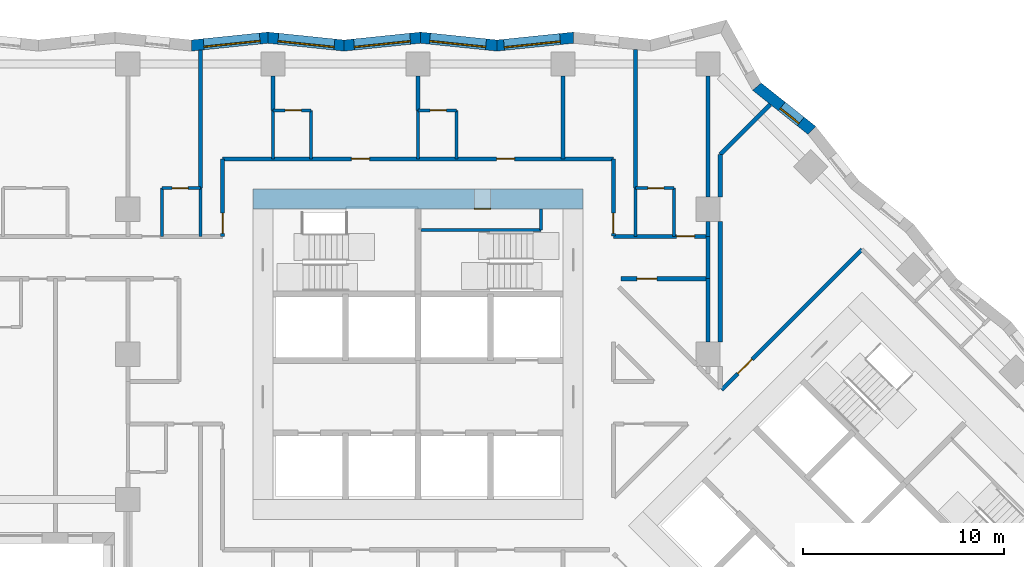
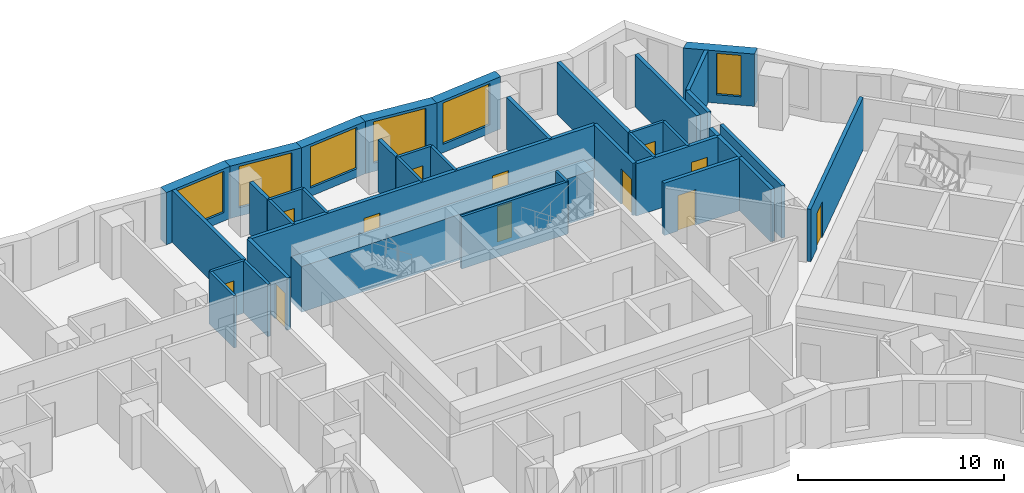
# One storey, part 6 of 12: 39 walls, 12 doors, 6 windows, 18 openings.
"""IFC4 building model written with IfcOpenShell, lengths in metres."""

import ifcopenshell
import ifcopenshell.guid

model = None  # the IFC model being written
_history = None  # IfcOwnerHistory: only IFC2X3 demands one
_inside = {}  # id of a spatial element -> (the spatial element, [elements in it])
_under = {}  # id of a project, library or spatial element -> (it, [spatial elements below it])
_declared = {}  # id of a project -> (the project, [libraries it declares])
_typed = {}  # id of a type object -> (the type object, [elements of that type])
_made_of = {}  # id of a material, layer set ... -> (it, [elements and type objects made of it])


def new_model(schema):
    """Start an empty IFC model of exactly this schema.

    Asked for "IFC4X3", IfcOpenShell would pick the latest addendum, in which some entities
    have other attributes; the version numbers below select the first issue.
    IFC2X3 requires an IfcOwnerHistory on every rooted entity: one is made here for all.
    """
    global model, _history
    if schema == "IFC4X3":
        model = ifcopenshell.file(schema_version=(4, 3, 0, 0))
    else:
        model = ifcopenshell.file(schema=schema)
    _inside.clear()
    _under.clear()
    _declared.clear()
    _typed.clear()
    _made_of.clear()
    _history = None
    if model.schema == "IFC2X3":
        org = make("IfcOrganization", Name="unknown")
        user = make(
            "IfcPersonAndOrganization",
            ThePerson=make("IfcPerson", FamilyName="unknown"),
            TheOrganization=org,
        )
        app = make(
            "IfcApplication",
            ApplicationDeveloper=org,
            Version="unknown",
            ApplicationFullName="unknown",
            ApplicationIdentifier="unknown",
        )
        _history = make(
            "IfcOwnerHistory",
            OwningUser=user,
            OwningApplication=app,
            ChangeAction="ADDED",
            CreationDate=0,
        )
    return model


def make(cls, **values):
    """One entity of the class cls with the attributes given. An attribute that is None is left unset."""
    return model.create_entity(
        cls, **{name: value for name, value in values.items() if value is not None}
    )


def rooted(cls, **values):
    """An entity with a GlobalId (a new one), such as an element, a storey or a relation."""
    return make(cls, GlobalId=ifcopenshell.guid.new(), OwnerHistory=_history, **values)


def si_unit(unit_type, name, prefix=None):
    """IfcSIUnit, for example si_unit("LENGTHUNIT", "METRE", prefix="MILLI")."""
    return make("IfcSIUnit", UnitType=unit_type, Prefix=prefix, Name=name)


def assignment(units):
    """IfcUnitAssignment: the units of a project."""
    return None if units is None else make("IfcUnitAssignment", Units=units)


def point(xyz):
    """IfcCartesianPoint."""
    return None if xyz is None else make("IfcCartesianPoint", Coordinates=xyz)


def direction(xyz):
    """IfcDirection."""
    return None if xyz is None else make("IfcDirection", DirectionRatios=xyz)


def frame(location, z_axis=None, x_axis=None):
    """IfcAxis2Placement3D, a coordinate frame: its origin and axes. An axis left out is left unset."""
    return make(
        "IfcAxis2Placement3D",
        Location=point(location),
        Axis=direction(z_axis),
        RefDirection=direction(x_axis),
    )


def frame_2d(location, x_axis=None):
    """IfcAxis2Placement2D, a coordinate frame in the plane: its origin and x axis."""
    return make(
        "IfcAxis2Placement2D", Location=point(location), RefDirection=direction(x_axis)
    )


def origin():
    """The frame at (0, 0, 0) with its axes left unset."""
    return frame((0.0, 0.0, 0.0))


def place(relative_to, where):
    """IfcLocalPlacement: puts the frame where relative to a parent placement (None: the world)."""
    return make(
        "IfcLocalPlacement", PlacementRelTo=relative_to, RelativePlacement=where
    )


def context(
    kind, dimensions, precision=None, world=None, true_north=None, identifier=None
):
    """IfcGeometricRepresentationContext, for example the 3D "Model" context."""
    return make(
        "IfcGeometricRepresentationContext",
        ContextIdentifier=identifier,
        ContextType=kind,
        CoordinateSpaceDimension=dimensions,
        Precision=precision,
        WorldCoordinateSystem=world,
        TrueNorth=true_north,
    )


def subcontext(parent, identifier, kind, view, scale=None):
    """IfcGeometricRepresentationSubContext, for example "Body" below "Model"."""
    return make(
        "IfcGeometricRepresentationSubContext",
        ContextIdentifier=identifier,
        ContextType=kind,
        ParentContext=parent,
        TargetScale=scale,
        TargetView=view,
    )


def project(units=None, contexts=None):
    """IfcProject with its units and contexts."""
    return rooted(
        "IfcProject",
        Name="project",
        RepresentationContexts=contexts,
        UnitsInContext=assignment(units),
    )


def spatial(cls, under=None, at=None, **own):
    """A site, building, storey or space (cls), placed at a placement, below another one or the project."""
    s = rooted(cls, ObjectPlacement=at, **own)
    if under is not None:
        _under.setdefault(under.id(), (under, []))[1].append(s)
    return s


def polyline(points):
    """IfcPolyline through the points."""
    return make("IfcPolyline", Points=[point(p) for p in points])


def profile(cls, at=None, kind="AREA", **sizes):
    """A parametric profile (cls). Its sizes go by their IFC names, for example OverallWidth=200.0."""
    return make(cls, ProfileType=kind, Position=at, **sizes)


def rectangle(**sizes):
    """IfcRectangleProfileDef."""
    return profile("IfcRectangleProfileDef", **sizes)


def outline(outer, holes=None, kind="AREA"):
    """IfcArbitraryClosedProfileDef: a profile drawn as a closed curve; with holes, ...WithVoids."""
    if holes is None:
        return make("IfcArbitraryClosedProfileDef", ProfileType=kind, OuterCurve=outer)
    return make(
        "IfcArbitraryProfileDefWithVoids",
        ProfileType=kind,
        OuterCurve=outer,
        InnerCurves=holes,
    )


def extrude(swept, where, along, depth):
    """IfcExtrudedAreaSolid: the profile swept, set in the frame where, extruded along a direction by depth."""
    return make(
        "IfcExtrudedAreaSolid",
        SweptArea=swept,
        Position=where,
        ExtrudedDirection=direction(along),
        Depth=depth,
    )


def shape(context_of_items, identifier, shape_type, items):
    """IfcShapeRepresentation: the items that make up one representation, for example the "Body"."""
    return make(
        "IfcShapeRepresentation",
        ContextOfItems=context_of_items,
        RepresentationIdentifier=identifier,
        RepresentationType=shape_type,
        Items=items,
    )


def material(Name=None, Category=None):
    """IfcMaterial."""
    return make("IfcMaterial", Name=Name, Category=Category)


def layer(
    of_material, thickness, ventilated=None, Name=None, Category=None, Priority=None
):
    """IfcMaterialLayer: one layer of a wall or slab, of a material (None: an air gap)."""
    return make(
        "IfcMaterialLayer",
        Material=of_material,
        LayerThickness=thickness,
        IsVentilated=ventilated,
        Name=Name,
        Category=Category,
        Priority=Priority,
    )


def layer_set(layers, Name=None):
    """IfcMaterialLayerSet."""
    return make("IfcMaterialLayerSet", MaterialLayers=layers, LayerSetName=Name)


def made_of(thing, what):
    """Note that an element or type object is made of a material, layer set ...; save() writes the relation."""
    if what is not None:
        _made_of.setdefault(what.id(), (what, []))[1].append(thing)
    return thing


def type_object(cls, material=None, **own):
    """A type object (cls), such as IfcWallType, which elements share."""
    return made_of(rooted(cls, **own), material)


def element(
    cls,
    number,
    at=None,
    inside=None,
    cuts=None,
    type_object=None,
    material=None,
    context=None,
    identifier="Body",
    shape_type=None,
    held_by="IfcProductDefinitionShape",
    body=None,
    shapes=None,
    **own,
):
    """One element of the class cls, such as IfcWall. Its Tag is "e" and its number.

    at: its placement. inside: the storey or other place that contains it. cuts: it is an
    opening in that element (IfcRelVoidsElement). A single representation is given by context,
    identifier, shape_type and body (its items); several are given by shapes. held_by: the class
    of the entity that holds the representations. save() writes the other relations.
    """
    e = rooted(cls, Tag="e%d" % number, ObjectPlacement=at, **own)
    if body is not None:
        shapes = [shape(context, identifier, shape_type, body)]
    if shapes is not None:
        e.Representation = make(held_by, Representations=shapes)
    if inside is not None:
        _inside.setdefault(inside.id(), (inside, []))[1].append(e)
    if cuts is not None:
        rooted(
            "IfcRelVoidsElement", RelatingBuildingElement=cuts, RelatedOpeningElement=e
        )
    if type_object is not None:
        _typed.setdefault(type_object.id(), (type_object, []))[1].append(e)
    return made_of(e, material)


def fill(opening, filler):
    """IfcRelFillsElement: the door or window that sits in an opening."""
    return rooted(
        "IfcRelFillsElement",
        RelatingOpeningElement=opening,
        RelatedBuildingElement=filler,
    )


def aggregate(whole, parts):
    """IfcRelAggregates: a whole, such as a stair, and the parts it consists of."""
    return rooted("IfcRelAggregates", RelatingObject=whole, RelatedObjects=parts)


def save(model, path):
    """Write the relations noted so far, then the file.

    IfcRelAggregates (storeys below a building ...), IfcRelContainedInSpatialStructure (elements
    in a storey), IfcRelDefinesByType, IfcRelAssociatesMaterial and IfcRelDeclares: one each for
    every whole, place, type object, material and project.
    """
    for whole, parts in _under.values():
        aggregate(whole, parts)
    for where, things in _inside.values():
        rooted(
            "IfcRelContainedInSpatialStructure",
            RelatedElements=things,
            RelatingStructure=where,
        )
    for kind, things in _typed.values():
        rooted("IfcRelDefinesByType", RelatedObjects=things, RelatingType=kind)
    for what, things in _made_of.values():
        rooted("IfcRelAssociatesMaterial", RelatedObjects=things, RelatingMaterial=what)
    for by, libraries in _declared.values():
        rooted("IfcRelDeclares", RelatingContext=by, RelatedDefinitions=libraries)
    model.write(path)


model = new_model("IFC4")

# Units and contexts
model_context = context("Model", 3, precision=1e-05, world=origin(), true_north=direction((0.0, 1.0)))
body_context = subcontext(model_context, "Body", "Model", "MODEL_VIEW")
ifc_project = project(units=[si_unit("LENGTHUNIT", "METRE"), si_unit("AREAUNIT", "SQUARE_METRE"), si_unit("VOLUMEUNIT", "CUBIC_METRE"), si_unit("PLANEANGLEUNIT", "RADIAN"), si_unit("MASSUNIT", "GRAM", prefix="KILO")], contexts=[model_context])

# Site, building, storey
site_placement = place(None, origin())
site = spatial("IfcSite", under=ifc_project, at=site_placement, CompositionType="ELEMENT")
building_placement = place(site_placement, origin())
building = spatial("IfcBuilding", under=site, at=building_placement, Name="Windrow Commons", CompositionType="ELEMENT")
storey_placement = place(building_placement, frame((0.0, 0.0, 37.2)))
storey = spatial("IfcBuildingStorey", under=building, at=storey_placement, Name="L09", CompositionType="ELEMENT", Elevation=37.2)

# Wall, opening, window
ifc_material_1 = material(Name="Brick masonry, red clay brick", Category="masonry")
ifc_layer_1 = layer(ifc_material_1, 0.55)
ifc_layer_set_1 = layer_set([ifc_layer_1], Name="Brick facade wall 550")
wall_type_1 = type_object("IfcWallType", Name="Brick facade wall 550", PredefinedType="SOLIDWALL", material=ifc_layer_set_1)
wall_1_placement = place(storey_placement, frame((84.3408, 68.7178, 0.0), z_axis=(0.0, 0.0, 1.0), x_axis=(-0.7826023277, 0.6225219648, 0.0)))
wall_1 = element("IfcWall", 1, at=wall_1_placement, inside=storey, type_object=wall_type_1, Name="Brick facade wall L09 21", PredefinedType="SOLIDWALL", context=body_context, shape_type="SweptSolid", body=[
    extrude(outline(polyline([(-0.0313, -0.275), (3.4226, -0.275), (3.5325, 0.275), (0.0313, 0.275), (-0.0313, -0.275)])), origin(), (0.0, 0.0, 1.0), 3.1),
])
opening_1_placement = place(wall_1_placement, frame((0.7012, 0.0, 0.5)))
opening_1 = element("IfcOpeningElement", 2, at=opening_1_placement, cuts=wall_1, Name="Opening W7D", PredefinedType="OPENING", context=body_context, shape_type="SweptSolid", body=[
    extrude(rectangle(XDim=1.2, YDim=2.45, at=frame_2d((0.6, 1.225))), frame((0.0, 0.285, 0.0), z_axis=(0.0, -1.0, 0.0), x_axis=(1.0, 0.0, 0.0)), (0.0, 0.0, 1.0), 0.57),
])
ifc_material_2 = material(Name="Clear float glass in anodised aluminium frame", Category="aluminium")
window_type_1 = type_object("IfcWindowType", Name="Window W7 notch 1200x2450", PartitioningType="SINGLE_PANEL", PredefinedType="WINDOW", material=ifc_material_2)
window_1_placement = place(opening_1_placement, origin())
window_1 = element("IfcWindow", 3, at=window_1_placement, inside=storey, type_object=window_type_1, Name="Window L09 21.1", OverallHeight=2.45, OverallWidth=1.2, PartitioningType="SINGLE_PANEL", PredefinedType="WINDOW", context=body_context, shape_type="SweptSolid", body=[
    extrude(rectangle(XDim=1.2, YDim=2.45, at=frame_2d((0.6, 1.225))), frame((0.0, 0.155, 0.0), z_axis=(0.0, -1.0, 0.0), x_axis=(1.0, 0.0, 0.0)), (0.0, 0.0, 1.0), 0.06),
])
fill(opening_1, window_1)

wall_2_placement = place(storey_placement, frame((72.5203, 73.3145, 0.0), z_axis=(0.0, 0.0, 1.0), x_axis=(-0.9947306832, -0.1025225234, 0.0)))
wall_2 = element("IfcWall", 4, at=wall_2_placement, inside=storey, type_object=wall_type_1, Name="Brick facade wall L09 25", PredefinedType="SOLIDWALL", context=body_context, shape_type="SweptSolid", body=[
    extrude(outline(polyline([(-0.0283, -0.275), (3.7854, -0.275), (3.8421, 0.275), (0.0283, 0.275), (-0.0283, -0.275)])), origin(), (0.0, 0.0, 1.0), 3.1),
])
opening_2_placement = place(wall_2_placement, frame((0.6684, 0.0, 0.5)))
opening_2 = element("IfcOpeningElement", 5, at=opening_2_placement, cuts=wall_2, Name="Opening W1T", PredefinedType="OPENING", context=body_context, shape_type="SweptSolid", body=[
    extrude(rectangle(XDim=2.8, YDim=2.45, at=frame_2d((1.4, 1.225))), frame((0.0, 0.285, 0.0), z_axis=(0.0, -1.0, 0.0), x_axis=(1.0, 0.0, 0.0)), (0.0, 0.0, 1.0), 0.57),
])
ifc_material_3 = material(Name="Clear float glass in anodised aluminium frame", Category="aluminium")
window_type_2 = type_object("IfcWindowType", Name="Window W1T bedroom 2800x2450", PartitioningType="SINGLE_PANEL", PredefinedType="WINDOW", material=ifc_material_3)
window_2_placement = place(opening_2_placement, origin())
window_2 = element("IfcWindow", 6, at=window_2_placement, inside=storey, type_object=window_type_2, Name="Window L09 25.1", OverallHeight=2.45, OverallWidth=2.8, PartitioningType="SINGLE_PANEL", PredefinedType="WINDOW", context=body_context, shape_type="SweptSolid", body=[
    extrude(rectangle(XDim=2.8, YDim=2.45, at=frame_2d((1.4, 1.225))), frame((0.0, 0.155, 0.0), z_axis=(0.0, -1.0, 0.0), x_axis=(1.0, 0.0, 0.0)), (0.0, 0.0, 1.0), 0.06),
])
fill(opening_2, window_2)

wall_3_placement = place(storey_placement, frame((68.7266, 72.9235, 0.0), z_axis=(0.0, 0.0, 1.0), x_axis=(-0.9947306832, 0.1025225234, 0.0)))
wall_3 = element("IfcWall", 7, at=wall_3_placement, inside=storey, type_object=wall_type_1, Name="Brick facade wall L09 26", PredefinedType="SOLIDWALL", context=body_context, shape_type="SweptSolid", body=[
    extrude(outline(polyline([(0.0283, -0.275), (3.8421, -0.275), (3.7854, 0.275), (-0.0283, 0.275), (0.0283, -0.275)])), origin(), (0.0, 0.0, 1.0), 3.1),
])
opening_3_placement = place(wall_3_placement, frame((0.5569, 0.0, 0.5)))
opening_3 = element("IfcOpeningElement", 8, at=opening_3_placement, cuts=wall_3, Name="Opening W1T", PredefinedType="OPENING", context=body_context, shape_type="SweptSolid", body=[
    extrude(rectangle(XDim=2.8, YDim=2.45, at=frame_2d((1.4, 1.225))), frame((0.0, 0.285, 0.0), z_axis=(0.0, -1.0, 0.0), x_axis=(1.0, 0.0, 0.0)), (0.0, 0.0, 1.0), 0.57),
])
window_3_placement = place(opening_3_placement, origin())
window_3 = element("IfcWindow", 9, at=window_3_placement, inside=storey, type_object=window_type_2, Name="Window L09 26.1", OverallHeight=2.45, OverallWidth=2.8, PartitioningType="SINGLE_PANEL", PredefinedType="WINDOW", context=body_context, shape_type="SweptSolid", body=[
    extrude(rectangle(XDim=2.8, YDim=2.45, at=frame_2d((1.4, 1.225))), frame((0.0, 0.155, 0.0), z_axis=(0.0, -1.0, 0.0), x_axis=(1.0, 0.0, 0.0)), (0.0, 0.0, 1.0), 0.06),
])
fill(opening_3, window_3)

wall_4_placement = place(storey_placement, frame((64.9329, 73.3145, 0.0), z_axis=(0.0, 0.0, 1.0), x_axis=(-0.9947304076, -0.1025251975, 0.0)))
wall_4 = element("IfcWall", 10, at=wall_4_placement, inside=storey, type_object=wall_type_1, Name="Brick facade wall L09 27", PredefinedType="SOLIDWALL", context=body_context, shape_type="SweptSolid", body=[
    extrude(outline(polyline([(-0.0283, -0.275), (3.7854, -0.275), (3.8421, 0.275), (0.0283, 0.275), (-0.0283, -0.275)])), origin(), (0.0, 0.0, 1.0), 3.1),
])
opening_4_placement = place(wall_4_placement, frame((0.5211, 0.0, 0.5)))
opening_4 = element("IfcOpeningElement", 11, at=opening_4_placement, cuts=wall_4, Name="Opening W1T", PredefinedType="OPENING", context=body_context, shape_type="SweptSolid", body=[
    extrude(rectangle(XDim=2.8, YDim=2.45, at=frame_2d((1.4, 1.225))), frame((0.0, 0.285, 0.0), z_axis=(0.0, -1.0, 0.0), x_axis=(1.0, 0.0, 0.0)), (0.0, 0.0, 1.0), 0.57),
])
window_4_placement = place(opening_4_placement, origin())
window_4 = element("IfcWindow", 12, at=window_4_placement, inside=storey, type_object=window_type_2, Name="Window L09 27.1", OverallHeight=2.45, OverallWidth=2.8, PartitioningType="SINGLE_PANEL", PredefinedType="WINDOW", context=body_context, shape_type="SweptSolid", body=[
    extrude(rectangle(XDim=2.8, YDim=2.45, at=frame_2d((1.4, 1.225))), frame((0.0, 0.155, 0.0), z_axis=(0.0, -1.0, 0.0), x_axis=(1.0, 0.0, 0.0)), (0.0, 0.0, 1.0), 0.06),
])
fill(opening_4, window_4)

wall_5_placement = place(storey_placement, frame((61.1393, 72.9235, 0.0), z_axis=(0.0, 0.0, 1.0), x_axis=(-0.9947306832, 0.1025225234, 0.0)))
wall_5 = element("IfcWall", 13, at=wall_5_placement, inside=storey, type_object=wall_type_1, Name="Brick facade wall L09 28", PredefinedType="SOLIDWALL", context=body_context, shape_type="SweptSolid", body=[
    extrude(outline(polyline([(0.0283, -0.275), (3.8421, -0.275), (3.7854, 0.275), (-0.0283, 0.275), (0.0283, -0.275)])), origin(), (0.0, 0.0, 1.0), 3.1),
])
opening_5_placement = place(wall_5_placement, frame((0.4927, 0.0, 0.5)))
opening_5 = element("IfcOpeningElement", 14, at=opening_5_placement, cuts=wall_5, Name="Opening W1T", PredefinedType="OPENING", context=body_context, shape_type="SweptSolid", body=[
    extrude(rectangle(XDim=2.8, YDim=2.45, at=frame_2d((1.4, 1.225))), frame((0.0, 0.285, 0.0), z_axis=(0.0, -1.0, 0.0), x_axis=(1.0, 0.0, 0.0)), (0.0, 0.0, 1.0), 0.57),
])
window_5_placement = place(opening_5_placement, origin())
window_5 = element("IfcWindow", 15, at=window_5_placement, inside=storey, type_object=window_type_2, Name="Window L09 28.1", OverallHeight=2.45, OverallWidth=2.8, PartitioningType="SINGLE_PANEL", PredefinedType="WINDOW", context=body_context, shape_type="SweptSolid", body=[
    extrude(rectangle(XDim=2.8, YDim=2.45, at=frame_2d((1.4, 1.225))), frame((0.0, 0.155, 0.0), z_axis=(0.0, -1.0, 0.0), x_axis=(1.0, 0.0, 0.0)), (0.0, 0.0, 1.0), 0.06),
])
fill(opening_5, window_5)

wall_6_placement = place(storey_placement, frame((57.3456, 73.3145, 0.0), z_axis=(0.0, 0.0, 1.0), x_axis=(-0.9947304076, -0.1025251975, 0.0)))
wall_6 = element("IfcWall", 16, at=wall_6_placement, inside=storey, type_object=wall_type_1, Name="Brick facade wall L09 29", PredefinedType="SOLIDWALL", context=body_context, shape_type="SweptSolid", body=[
    extrude(outline(polyline([(-0.0283, -0.275), (3.7854, -0.275), (3.8421, 0.275), (0.0283, 0.275), (-0.0283, -0.275)])), origin(), (0.0, 0.0, 1.0), 3.1),
])
opening_6_placement = place(wall_6_placement, frame((0.3958, 0.0, 0.5)))
opening_6 = element("IfcOpeningElement", 17, at=opening_6_placement, cuts=wall_6, Name="Opening W1T", PredefinedType="OPENING", context=body_context, shape_type="SweptSolid", body=[
    extrude(rectangle(XDim=2.8, YDim=2.45, at=frame_2d((1.4, 1.225))), frame((0.0, 0.285, 0.0), z_axis=(0.0, -1.0, 0.0), x_axis=(1.0, 0.0, 0.0)), (0.0, 0.0, 1.0), 0.57),
])
window_6_placement = place(opening_6_placement, origin())
window_6 = element("IfcWindow", 18, at=window_6_placement, inside=storey, type_object=window_type_2, Name="Window L09 29.1", OverallHeight=2.45, OverallWidth=2.8, PartitioningType="SINGLE_PANEL", PredefinedType="WINDOW", context=body_context, shape_type="SweptSolid", body=[
    extrude(rectangle(XDim=2.8, YDim=2.45, at=frame_2d((1.4, 1.225))), frame((0.0, 0.155, 0.0), z_axis=(0.0, -1.0, 0.0), x_axis=(1.0, 0.0, 0.0)), (0.0, 0.0, 1.0), 0.06),
])
fill(opening_6, window_6)

# Wall, openings, doors
ifc_material_4 = material(Name="Blockwork partition", Category="masonry")
ifc_layer_2 = layer(ifc_material_4, 0.2)
ifc_layer_set_2 = layer_set([ifc_layer_2], Name="IW-CORRIDOR-200")
wall_type_2 = type_object("IfcWallType", Name="IW-CORRIDOR-200", PredefinedType="PARTITIONING", material=ifc_layer_set_2)
wall_7_placement = place(storey_placement, frame((55.1, 67.3, 0.0), z_axis=(0.0, 0.0, 1.0), x_axis=(1.0, 0.0, 0.0)))
wall_7 = element("IfcWall", 19, at=wall_7_placement, inside=storey, type_object=wall_type_2, Name="W-L09-W002", PredefinedType="PARTITIONING", context=body_context, shape_type="SweptSolid", body=[
    extrude(rectangle(XDim=19.4, YDim=0.2, at=frame_2d((9.7, 0.0))), origin(), (0.0, 0.0, 1.0), 3.1),
])
opening_7_placement = place(wall_7_placement, frame((6.3994, 0.0, 0.0)))
opening_7 = element("IfcOpeningElement", 20, at=opening_7_placement, cuts=wall_7, Name="Opening D109F", PredefinedType="OPENING", context=body_context, shape_type="SweptSolid", body=[
    extrude(rectangle(XDim=0.9, YDim=2.1, at=frame_2d((0.45, 1.05))), frame((0.0, 0.11, 0.0), z_axis=(0.0, -1.0, 0.0), x_axis=(1.0, 0.0, 0.0)), (0.0, 0.0, 1.0), 0.22),
])
opening_8_placement = place(wall_7_placement, frame((13.5994, 0.0, 0.0)))
opening_8 = element("IfcOpeningElement", 21, at=opening_8_placement, cuts=wall_7, Name="Opening D109F", PredefinedType="OPENING", context=body_context, shape_type="SweptSolid", body=[
    extrude(rectangle(XDim=0.9, YDim=2.1, at=frame_2d((0.45, 1.05))), frame((0.0, 0.11, 0.0), z_axis=(0.0, -1.0, 0.0), x_axis=(1.0, 0.0, 0.0)), (0.0, 0.0, 1.0), 0.22),
])
ifc_material_5 = material(Name="Timber door leaf", Category="wood")
door_type_1 = type_object("IfcDoorType", Name="DT-BEDROOM-900", OperationType="SINGLE_SWING_LEFT", PredefinedType="DOOR", material=ifc_material_5)
door_1_placement = place(opening_7_placement, origin())
door_1 = element("IfcDoor", 22, at=door_1_placement, inside=storey, type_object=door_type_1, Name="D-L09-D028", OperationType="SINGLE_SWING_RIGHT", OverallHeight=2.1, OverallWidth=0.9, PredefinedType="DOOR", context=body_context, shape_type="SweptSolid", body=[
    extrude(rectangle(XDim=0.9, YDim=2.1, at=frame_2d((0.45, 1.05))), frame((0.0, 0.025, 0.0), z_axis=(0.0, -1.0, 0.0), x_axis=(1.0, 0.0, 0.0)), (0.0, 0.0, 1.0), 0.05),
])
fill(opening_7, door_1)
door_2_placement = place(opening_8_placement, origin())
door_2 = element("IfcDoor", 23, at=door_2_placement, inside=storey, type_object=door_type_1, Name="D-L09-D030", OperationType="SINGLE_SWING_RIGHT", OverallHeight=2.1, OverallWidth=0.9, PredefinedType="DOOR", context=body_context, shape_type="SweptSolid", body=[
    extrude(rectangle(XDim=0.9, YDim=2.1, at=frame_2d((0.45, 1.05))), frame((0.0, 0.025, 0.0), z_axis=(0.0, -1.0, 0.0), x_axis=(1.0, 0.0, 0.0)), (0.0, 0.0, 1.0), 0.05),
])
fill(opening_8, door_2)

# Wall, opening, door
wall_8_placement = place(storey_placement, frame((79.8707, 55.8433, 0.0), z_axis=(0.0, 0.0, 1.0), x_axis=(0.7071067812, 0.7071067812, 0.0)))
wall_8 = element("IfcWall", 24, at=wall_8_placement, inside=storey, type_object=wall_type_2, Name="W-L09-W010", PredefinedType="PARTITIONING", context=body_context, shape_type="SweptSolid", body=[
    extrude(rectangle(XDim=9.85, YDim=0.2, at=frame_2d((4.925, 0.0))), origin(), (0.0, 0.0, 1.0), 3.1),
])
opening_9_placement = place(wall_8_placement, frame((1.135, 0.0, 0.0)))
opening_9 = element("IfcOpeningElement", 25, at=opening_9_placement, cuts=wall_8, Name="Opening D310F", PredefinedType="OPENING", context=body_context, shape_type="SweptSolid", body=[
    extrude(rectangle(XDim=1.0, YDim=2.1, at=frame_2d((0.5, 1.05))), frame((0.0, 0.11, 0.0), z_axis=(0.0, -1.0, 0.0), x_axis=(1.0, 0.0, 0.0)), (0.0, 0.0, 1.0), 0.22),
])
ifc_material_6 = material(Name="Timber door leaf", Category="wood")
door_type_2 = type_object("IfcDoorType", Name="DT-AMENITY-1000", OperationType="SINGLE_SWING_LEFT", PredefinedType="DOOR", material=ifc_material_6)
door_3_placement = place(opening_9_placement, origin())
door_3 = element("IfcDoor", 26, at=door_3_placement, inside=storey, type_object=door_type_2, Name="D-L09-D038", OperationType="SINGLE_SWING_RIGHT", OverallHeight=2.1, OverallWidth=1.0, PredefinedType="DOOR", context=body_context, shape_type="SweptSolid", body=[
    extrude(rectangle(XDim=1.0, YDim=2.1, at=frame_2d((0.5, 1.05))), frame((0.0, 0.025, 0.0), z_axis=(0.0, -1.0, 0.0), x_axis=(1.0, 0.0, 0.0)), (0.0, 0.0, 1.0), 0.05),
])
fill(opening_9, door_3)

wall_9_placement = place(storey_placement, frame((74.51, 63.45, 0.0), z_axis=(0.0, 0.0, 1.0), x_axis=(1.0, 0.0, 0.0)))
wall_9 = element("IfcWall", 27, at=wall_9_placement, inside=storey, type_object=wall_type_2, Name="W-L09-W043", PredefinedType="PARTITIONING", context=body_context, shape_type="SweptSolid", body=[
    extrude(rectangle(XDim=4.69, YDim=0.2, at=frame_2d((2.345, 0.0))), origin(), (0.0, 0.0, 1.0), 3.1),
])
opening_10_placement = place(wall_9_placement, frame((3.12, 0.0, 0.0)))
opening_10 = element("IfcOpeningElement", 28, at=opening_10_placement, cuts=wall_9, Name="Opening D109S", PredefinedType="OPENING", context=body_context, shape_type="SweptSolid", body=[
    extrude(rectangle(XDim=0.9, YDim=2.1, at=frame_2d((0.45, 1.05))), frame((0.0, 0.11, 0.0), z_axis=(0.0, -1.0, 0.0), x_axis=(1.0, 0.0, 0.0)), (0.0, 0.0, 1.0), 0.22),
])
door_4_placement = place(opening_10_placement, origin())
door_4 = element("IfcDoor", 29, at=door_4_placement, inside=storey, type_object=door_type_1, Name="D-L09-D021", OperationType="SINGLE_SWING_LEFT", OverallHeight=2.1, OverallWidth=0.9, PredefinedType="DOOR", context=body_context, shape_type="SweptSolid", body=[
    extrude(rectangle(XDim=0.9, YDim=2.1, at=frame_2d((0.45, 1.05))), frame((0.0, 0.025, 0.0), z_axis=(0.0, -1.0, 0.0), x_axis=(1.0, 0.0, 0.0)), (0.0, 0.0, 1.0), 0.05),
])
fill(opening_10, door_4)

wall_10_placement = place(storey_placement, frame((74.882, 61.35, 0.0), z_axis=(0.0, 0.0, 1.0), x_axis=(1.0, 0.0, 0.0)))
wall_10 = element("IfcWall", 30, at=wall_10_placement, inside=storey, type_object=wall_type_2, Name="W-L09-W047", PredefinedType="PARTITIONING", context=body_context, shape_type="SweptSolid", body=[
    extrude(rectangle(XDim=4.318, YDim=0.2, at=frame_2d((2.159, 0.0))), origin(), (0.0, 0.0, 1.0), 3.1),
])
opening_11_placement = place(wall_10_placement, frame((0.7796, 0.0, 0.0)))
opening_11 = element("IfcOpeningElement", 31, at=opening_11_placement, cuts=wall_10, Name="Opening D410F", PredefinedType="OPENING", context=body_context, shape_type="SweptSolid", body=[
    extrude(rectangle(XDim=1.0, YDim=2.1, at=frame_2d((0.5, 1.05))), frame((0.0, 0.11, 0.0), z_axis=(0.0, -1.0, 0.0), x_axis=(1.0, 0.0, 0.0)), (0.0, 0.0, 1.0), 0.22),
])
ifc_material_7 = material(Name="Timber door leaf", Category="wood")
door_type_3 = type_object("IfcDoorType", Name="DT-SERVICE-1000", OperationType="SINGLE_SWING_LEFT", PredefinedType="DOOR", material=ifc_material_7)
door_5_placement = place(opening_11_placement, origin())
door_5 = element("IfcDoor", 32, at=door_5_placement, inside=storey, type_object=door_type_3, Name="D-L09-D037", OperationType="SINGLE_SWING_RIGHT", OverallHeight=2.1, OverallWidth=1.0, PredefinedType="DOOR", context=body_context, shape_type="SweptSolid", body=[
    extrude(rectangle(XDim=1.0, YDim=2.1, at=frame_2d((0.5, 1.05))), frame((0.0, 0.025, 0.0), z_axis=(0.0, -1.0, 0.0), x_axis=(1.0, 0.0, 0.0)), (0.0, 0.0, 1.0), 0.05),
])
fill(opening_11, door_5)

wall_11_placement = place(storey_placement, frame((55.1, 63.452, 0.0), z_axis=(0.0, 0.0, 1.0), x_axis=(0.0, 1.0, 0.0)))
wall_11 = element("IfcWall", 33, at=wall_11_placement, inside=storey, type_object=wall_type_2, Name="W-L09-W051", PredefinedType="PARTITIONING", context=body_context, shape_type="SweptSolid", body=[
    extrude(rectangle(XDim=3.848, YDim=0.2, at=frame_2d((1.924, 0.0))), origin(), (0.0, 0.0, 1.0), 3.1),
])
opening_12_placement = place(wall_11_placement, frame((0.1548, 0.0, 0.0)))
opening_12 = element("IfcOpeningElement", 34, at=opening_12_placement, cuts=wall_11, Name="Opening D310F", PredefinedType="OPENING", context=body_context, shape_type="SweptSolid", body=[
    extrude(rectangle(XDim=1.0, YDim=2.1, at=frame_2d((0.5, 1.05))), frame((0.0, 0.11, 0.0), z_axis=(0.0, -1.0, 0.0), x_axis=(1.0, 0.0, 0.0)), (0.0, 0.0, 1.0), 0.22),
])
door_6_placement = place(opening_12_placement, origin())
door_6 = element("IfcDoor", 35, at=door_6_placement, inside=storey, type_object=door_type_2, Name="D-L09-D019", OperationType="SINGLE_SWING_LEFT", OverallHeight=2.1, OverallWidth=1.0, PredefinedType="DOOR", context=body_context, shape_type="SweptSolid", body=[
    extrude(rectangle(XDim=1.0, YDim=2.1, at=frame_2d((0.5, 1.05))), frame((0.0, 0.025, 0.0), z_axis=(0.0, -1.0, 0.0), x_axis=(1.0, 0.0, 0.0)), (0.0, 0.0, 1.0), 0.05),
])
fill(opening_12, door_6)

wall_12_placement = place(storey_placement, frame((74.5, 63.46, 0.0), z_axis=(0.0, 0.0, 1.0), x_axis=(0.0, 1.0, 0.0)))
wall_12 = element("IfcWall", 36, at=wall_12_placement, inside=storey, type_object=wall_type_2, Name="W-L09-W052", PredefinedType="PARTITIONING", context=body_context, shape_type="SweptSolid", body=[
    extrude(rectangle(XDim=3.84, YDim=0.2, at=frame_2d((1.92, 0.0))), origin(), (0.0, 0.0, 1.0), 3.1),
])
opening_13_placement = place(wall_12_placement, frame((0.1468, 0.0, 0.0)))
opening_13 = element("IfcOpeningElement", 37, at=opening_13_placement, cuts=wall_12, Name="Opening D310F", PredefinedType="OPENING", context=body_context, shape_type="SweptSolid", body=[
    extrude(rectangle(XDim=1.0, YDim=2.1, at=frame_2d((0.5, 1.05))), frame((0.0, 0.11, 0.0), z_axis=(0.0, -1.0, 0.0), x_axis=(1.0, 0.0, 0.0)), (0.0, 0.0, 1.0), 0.22),
])
door_7_placement = place(opening_13_placement, origin())
door_7 = element("IfcDoor", 38, at=door_7_placement, inside=storey, type_object=door_type_2, Name="D-L09-D020", OperationType="SINGLE_SWING_RIGHT", OverallHeight=2.1, OverallWidth=1.0, PredefinedType="DOOR", context=body_context, shape_type="SweptSolid", body=[
    extrude(rectangle(XDim=1.0, YDim=2.1, at=frame_2d((0.5, 1.05))), frame((0.0, 0.025, 0.0), z_axis=(0.0, -1.0, 0.0), x_axis=(1.0, 0.0, 0.0)), (0.0, 0.0, 1.0), 0.05),
])
fill(opening_13, door_7)

# Walls
wall_13_placement = place(storey_placement, frame((79.2, 61.35, 0.0), z_axis=(0.0, 0.0, 1.0), x_axis=(0.0, 1.0, 0.0)))
element("IfcWall", 39, at=wall_13_placement, inside=storey, type_object=wall_type_2, Name="W-L09-W118", PredefinedType="PARTITIONING", context=body_context, shape_type="SweptSolid", body=[
    extrude(rectangle(XDim=2.1, YDim=0.2, at=frame_2d((1.05, 0.0))), origin(), (0.0, 0.0, 1.0), 3.1),
])
ifc_material_8 = material(Name="Blockwork partition", Category="masonry")
ifc_layer_3 = layer(ifc_material_8, 0.15)
ifc_layer_set_3 = layer_set([ifc_layer_3], Name="IW-ENSUITE-150")
wall_type_3 = type_object("IfcWallType", Name="IW-ENSUITE-150", PredefinedType="PARTITIONING", material=ifc_layer_set_3)
for number, where, z_axis, x_axis, name in (
    (40, (59.5, 67.3, 0.0), (0.0, 0.0, 1.0), (0.0, 1.0, 0.0), "W-L09-W076"),
    (41, (57.6, 67.3, 0.0), (0.0, 0.0, 1.0), (0.0, 1.0, 0.0), "W-L09-W077"),
    (42, (66.7, 67.3, 0.0), (0.0, 0.0, 1.0), (0.0, 1.0, 0.0), "W-L09-W078"),
    (43, (64.8, 67.3, 0.0), (0.0, 0.0, 1.0), (0.0, 1.0, 0.0), "W-L09-W079"),
    (44, (52.1, 63.45, 0.0), (0.0, 0.0, 1.0), (0.0, 1.0, 0.0), "W-L09-W098"),
    (45, (54.0, 63.45, 0.0), (0.0, 0.0, 1.0), (0.0, 1.0, 0.0), "W-L09-W099"),
    (46, (75.6, 63.45, 0.0), (0.0, 0.0, 1.0), (0.0, 1.0, 0.0), "W-L09-W100"),
    (47, (77.5, 63.45, 0.0), (0.0, 0.0, 1.0), (0.0, 1.0, 0.0), "W-L09-W101"),
):
    element("IfcWall", number, at=place(storey_placement, frame(where, z_axis=z_axis, x_axis=x_axis)), inside=storey, type_object=wall_type_3, Name=name, PredefinedType="PARTITIONING", context=body_context, shape_type="SweptSolid", body=[
        extrude(rectangle(XDim=2.4, YDim=0.15, at=frame_2d((1.2, 0.0))), origin(), (0.0, 0.0, 1.0), 3.1),
    ])

# Wall, opening, door
wall_14_placement = place(storey_placement, frame((75.6, 65.85, 0.0), z_axis=(0.0, 0.0, 1.0), x_axis=(1.0, 0.0, 0.0)))
wall_14 = element("IfcWall", 48, at=wall_14_placement, inside=storey, type_object=wall_type_3, Name="W-L09-W126", PredefinedType="PARTITIONING", context=body_context, shape_type="SweptSolid", body=[
    extrude(rectangle(XDim=1.9, YDim=0.15, at=frame_2d((0.95, 0.0))), origin(), (0.0, 0.0, 1.0), 3.1),
])
opening_14_placement = place(wall_14_placement, frame((0.6069, 0.0, 0.0)))
opening_14 = element("IfcOpeningElement", 49, at=opening_14_placement, cuts=wall_14, Name="Opening D208N", PredefinedType="OPENING", context=body_context, shape_type="SweptSolid", body=[
    extrude(rectangle(XDim=0.8, YDim=2.1, at=frame_2d((0.4, 1.05))), frame((0.0, 0.085, 0.0), z_axis=(0.0, -1.0, 0.0), x_axis=(1.0, 0.0, 0.0)), (0.0, 0.0, 1.0), 0.17),
])
ifc_material_9 = material(Name="Timber door leaf", Category="wood")
door_type_4 = type_object("IfcDoorType", Name="DT-ENSUITE-800", OperationType="SINGLE_SWING_LEFT", PredefinedType="DOOR", material=ifc_material_9)
door_8_placement = place(opening_14_placement, origin())
door_8 = element("IfcDoor", 50, at=door_8_placement, inside=storey, type_object=door_type_4, Name="D-L09-D022", OperationType="SINGLE_SWING_RIGHT", OverallHeight=2.1, OverallWidth=0.8, PredefinedType="DOOR", context=body_context, shape_type="SweptSolid", body=[
    extrude(rectangle(XDim=0.8, YDim=2.1, at=frame_2d((0.4, 1.05))), frame((0.0, 0.025, 0.0), z_axis=(0.0, -1.0, 0.0), x_axis=(1.0, 0.0, 0.0)), (0.0, 0.0, 1.0), 0.05),
])
fill(opening_14, door_8)

wall_15_placement = place(storey_placement, frame((64.8, 69.7, 0.0), z_axis=(0.0, 0.0, 1.0), x_axis=(1.0, 0.0, 0.0)))
wall_15 = element("IfcWall", 51, at=wall_15_placement, inside=storey, type_object=wall_type_3, Name="W-L09-W128", PredefinedType="PARTITIONING", context=body_context, shape_type="SweptSolid", body=[
    extrude(rectangle(XDim=1.9, YDim=0.15, at=frame_2d((0.95, 0.0))), origin(), (0.0, 0.0, 1.0), 3.1),
])
opening_15_placement = place(wall_15_placement, frame((0.6069, 0.0, 0.0)))
opening_15 = element("IfcOpeningElement", 52, at=opening_15_placement, cuts=wall_15, Name="Opening D208N", PredefinedType="OPENING", context=body_context, shape_type="SweptSolid", body=[
    extrude(rectangle(XDim=0.8, YDim=2.1, at=frame_2d((0.4, 1.05))), frame((0.0, 0.085, 0.0), z_axis=(0.0, -1.0, 0.0), x_axis=(1.0, 0.0, 0.0)), (0.0, 0.0, 1.0), 0.17),
])
door_9_placement = place(opening_15_placement, origin())
door_9 = element("IfcDoor", 53, at=door_9_placement, inside=storey, type_object=door_type_4, Name="D-L09-D031", OperationType="SINGLE_SWING_RIGHT", OverallHeight=2.1, OverallWidth=0.8, PredefinedType="DOOR", context=body_context, shape_type="SweptSolid", body=[
    extrude(rectangle(XDim=0.8, YDim=2.1, at=frame_2d((0.4, 1.05))), frame((0.0, 0.025, 0.0), z_axis=(0.0, -1.0, 0.0), x_axis=(1.0, 0.0, 0.0)), (0.0, 0.0, 1.0), 0.05),
])
fill(opening_15, door_9)

wall_16_placement = place(storey_placement, frame((52.1, 65.85, 0.0), z_axis=(0.0, 0.0, 1.0), x_axis=(1.0, 0.0, 0.0)))
wall_16 = element("IfcWall", 54, at=wall_16_placement, inside=storey, type_object=wall_type_3, Name="W-L09-W133", PredefinedType="PARTITIONING", context=body_context, shape_type="SweptSolid", body=[
    extrude(rectangle(XDim=1.9, YDim=0.15, at=frame_2d((0.95, 0.0))), origin(), (0.0, 0.0, 1.0), 3.1),
])
opening_16_placement = place(wall_16_placement, frame((0.4931, 0.0, 0.0)))
opening_16 = element("IfcOpeningElement", 55, at=opening_16_placement, cuts=wall_16, Name="Opening D208N", PredefinedType="OPENING", context=body_context, shape_type="SweptSolid", body=[
    extrude(rectangle(XDim=0.8, YDim=2.1, at=frame_2d((0.4, 1.05))), frame((0.0, 0.085, 0.0), z_axis=(0.0, -1.0, 0.0), x_axis=(1.0, 0.0, 0.0)), (0.0, 0.0, 1.0), 0.17),
])
door_10_placement = place(opening_16_placement, origin())
door_10 = element("IfcDoor", 56, at=door_10_placement, inside=storey, type_object=door_type_4, Name="D-L09-D018", OperationType="SINGLE_SWING_RIGHT", OverallHeight=2.1, OverallWidth=0.8, PredefinedType="DOOR", context=body_context, shape_type="SweptSolid", body=[
    extrude(rectangle(XDim=0.8, YDim=2.1, at=frame_2d((0.4, 1.05))), frame((0.0, 0.025, 0.0), z_axis=(0.0, -1.0, 0.0), x_axis=(1.0, 0.0, 0.0)), (0.0, 0.0, 1.0), 0.05),
])
fill(opening_16, door_10)

wall_17_placement = place(storey_placement, frame((57.6, 69.7, 0.0), z_axis=(0.0, 0.0, 1.0), x_axis=(1.0, 0.0, 0.0)))
wall_17 = element("IfcWall", 57, at=wall_17_placement, inside=storey, type_object=wall_type_3, Name="W-L09-W136", PredefinedType="PARTITIONING", context=body_context, shape_type="SweptSolid", body=[
    extrude(rectangle(XDim=1.9, YDim=0.15, at=frame_2d((0.95, 0.0))), origin(), (0.0, 0.0, 1.0), 3.1),
])
opening_17_placement = place(wall_17_placement, frame((0.6069, 0.0, 0.0)))
opening_17 = element("IfcOpeningElement", 58, at=opening_17_placement, cuts=wall_17, Name="Opening D208N", PredefinedType="OPENING", context=body_context, shape_type="SweptSolid", body=[
    extrude(rectangle(XDim=0.8, YDim=2.1, at=frame_2d((0.4, 1.05))), frame((0.0, 0.085, 0.0), z_axis=(0.0, -1.0, 0.0), x_axis=(1.0, 0.0, 0.0)), (0.0, 0.0, 1.0), 0.17),
])
door_11_placement = place(opening_17_placement, origin())
door_11 = element("IfcDoor", 59, at=door_11_placement, inside=storey, type_object=door_type_4, Name="D-L09-D029", OperationType="SINGLE_SWING_RIGHT", OverallHeight=2.1, OverallWidth=0.8, PredefinedType="DOOR", context=body_context, shape_type="SweptSolid", body=[
    extrude(rectangle(XDim=0.8, YDim=2.1, at=frame_2d((0.4, 1.05))), frame((0.0, 0.025, 0.0), z_axis=(0.0, -1.0, 0.0), x_axis=(1.0, 0.0, 0.0)), (0.0, 0.0, 1.0), 0.05),
])
fill(opening_17, door_11)

# Walls
ifc_material_10 = material(Name="Blockwork partition", Category="masonry")
ifc_layer_4 = layer(ifc_material_10, 0.2)
ifc_layer_set_4 = layer_set([ifc_layer_4], Name="IW-PARTY-200")
wall_type_4 = type_object("IfcWallType", Name="IW-PARTY-200", PredefinedType="PARTITIONING", material=ifc_layer_set_4)
wall_18_placement = place(storey_placement, frame((75.6, 65.85, 0.0), z_axis=(0.0, 0.0, 1.0), x_axis=(0.0, 1.0, 0.0)))
element("IfcWall", 60, at=wall_18_placement, inside=storey, type_object=wall_type_4, Name="W-L09-W018", PredefinedType="PARTITIONING", context=body_context, shape_type="SweptSolid", body=[
    extrude(rectangle(XDim=6.8707, YDim=0.2, at=frame_2d((3.4354, 0.0))), origin(), (0.0, 0.0, 1.0), 3.1),
])
wall_19_placement = place(storey_placement, frame((54.0, 65.85, 0.0), z_axis=(0.0, 0.0, 1.0), x_axis=(0.0, 1.0, 0.0)))
element("IfcWall", 61, at=wall_19_placement, inside=storey, type_object=wall_type_4, Name="W-L09-W019", PredefinedType="PARTITIONING", context=body_context, shape_type="SweptSolid", body=[
    extrude(rectangle(XDim=6.8433, YDim=0.2, at=frame_2d((3.4217, 0.0))), origin(), (0.0, 0.0, 1.0), 3.1),
])
for number, where, z_axis, x_axis, name in (
    (62, (79.2, 65.4, 0.0), (0.0, 0.0, 1.0), (0.0, 1.0, 0.0), "W-L09-W030"),
    (63, (79.8, 58.2, 0.0), (0.0, 0.0, 1.0), (0.0, 1.0, 0.0), "W-L09-W031"),
):
    element("IfcWall", number, at=place(storey_placement, frame(where, z_axis=z_axis, x_axis=x_axis)), inside=storey, type_object=wall_type_4, Name=name, PredefinedType="PARTITIONING", context=body_context, shape_type="SweptSolid", body=[
        extrude(rectangle(XDim=6.0, YDim=0.2, at=frame_2d((3.0, 0.0))), origin(), (0.0, 0.0, 1.0), 3.1),
    ])
wall_20_placement = place(storey_placement, frame((72.0, 67.3, 0.0), z_axis=(0.0, 0.0, 1.0), x_axis=(0.0, 1.0, 0.0)))
element("IfcWall", 64, at=wall_20_placement, inside=storey, type_object=wall_type_4, Name="W-L09-W048", PredefinedType="PARTITIONING", context=body_context, shape_type="SweptSolid", body=[
    extrude(rectangle(XDim=4.1, YDim=0.2, at=frame_2d((2.05, 0.0))), origin(), (0.0, 0.0, 1.0), 3.1),
])
wall_21_placement = place(storey_placement, frame((79.7988, 67.5092, 0.0), z_axis=(0.0, 0.0, 1.0), x_axis=(0.7071067812, 0.7071067812, 0.0)))
element("IfcWall", 65, at=wall_21_placement, inside=storey, type_object=wall_type_4, Name="W-L09-W058", PredefinedType="PARTITIONING", context=body_context, shape_type="SweptSolid", body=[
    extrude(rectangle(XDim=3.521, YDim=0.2, at=frame_2d((1.7605, 0.0))), origin(), (0.0, 0.0, 1.0), 3.1),
])
wall_22_placement = place(storey_placement, frame((79.2, 58.2, 0.0), z_axis=(0.0, 0.0, 1.0), x_axis=(0.0, 1.0, 0.0)))
element("IfcWall", 66, at=wall_22_placement, inside=storey, type_object=wall_type_4, Name="W-L09-W063", PredefinedType="PARTITIONING", context=body_context, shape_type="SweptSolid", body=[
    extrude(rectangle(XDim=3.15, YDim=0.2, at=frame_2d((1.575, 0.0))), origin(), (0.0, 0.0, 1.0), 3.1),
])
wall_23_placement = place(storey_placement, frame((79.8, 65.4, 0.0), z_axis=(0.0, 0.0, 1.0), x_axis=(0.0, 1.0, 0.0)))
element("IfcWall", 67, at=wall_23_placement, inside=storey, type_object=wall_type_4, Name="W-L09-W114", PredefinedType="PARTITIONING", context=body_context, shape_type="SweptSolid", body=[
    extrude(rectangle(XDim=2.108, YDim=0.2, at=frame_2d((1.054, 0.0))), origin(), (0.0, 0.0, 1.0), 3.1),
])
for number, where, z_axis, x_axis, name in (
    (68, (57.6, 69.7, 0.0), (0.0, 0.0, 1.0), (0.0, 1.0, 0.0), "W-L09-W147"),
    (69, (64.8, 69.7, 0.0), (0.0, 0.0, 1.0), (0.0, 1.0, 0.0), "W-L09-W149"),
):
    element("IfcWall", number, at=place(storey_placement, frame(where, z_axis=z_axis, x_axis=x_axis)), inside=storey, type_object=wall_type_4, Name=name, PredefinedType="PARTITIONING", context=body_context, shape_type="SweptSolid", body=[
        extrude(rectangle(XDim=1.7, YDim=0.2, at=frame_2d((0.85, 0.0))), origin(), (0.0, 0.0, 1.0), 3.1),
    ])
wall_24_placement = place(storey_placement, frame((79.2, 63.45, 0.0), z_axis=(0.0, 0.0, 1.0), x_axis=(0.0, 1.0, 0.0)))
element("IfcWall", 70, at=wall_24_placement, inside=storey, type_object=wall_type_4, Name="W-L09-W164", PredefinedType="PARTITIONING", context=body_context, shape_type="SweptSolid", body=[
    extrude(rectangle(XDim=0.75, YDim=0.2, at=frame_2d((0.375, 0.0))), origin(), (0.0, 0.0, 1.0), 3.1),
])

# Wall, opening, door
ifc_material_11 = material(Name="Concrete C60/75", Category="concrete")
ifc_layer_5 = layer(ifc_material_11, 1.0)
ifc_layer_set_5 = layer_set([ifc_layer_5], Name="RC CORE WALL 1000 C60/75")
wall_type_5 = type_object("IfcWallType", Name="RC CORE WALL 1000 C60/75", PredefinedType="SHEAR", material=ifc_layer_set_5)
wall_25_placement = place(storey_placement, frame((56.6, 65.3, -0.3), z_axis=(0.0, 0.0, 1.0), x_axis=(1.0, 0.0, 0.0)))
wall_25 = element("IfcWall", 71, at=wall_25_placement, inside=storey, type_object=wall_type_5, Name="Core A wall outer-N", PredefinedType="SHEAR", context=body_context, shape_type="SweptSolid", body=[
    extrude(rectangle(XDim=16.4, YDim=1.0, at=frame_2d((8.2, 0.0))), origin(), (0.0, 0.0, 1.0), 2.7),
])
opening_18_placement = place(wall_25_placement, frame((11.0, 0.0, 0.3)))
opening_18 = element("IfcOpeningElement", 72, at=opening_18_placement, cuts=wall_25, Name="Opening D9", PredefinedType="OPENING", context=body_context, shape_type="SweptSolid", body=[
    extrude(rectangle(XDim=0.8, YDim=2.1, at=frame_2d((0.4, 1.05))), frame((0.0, 0.51, 0.0), z_axis=(0.0, -1.0, 0.0), x_axis=(1.0, 0.0, 0.0)), (0.0, 0.0, 1.0), 1.02),
])
ifc_material_12 = material(Name="Steel fire door leaf", Category="steel")
door_type_5 = type_object("IfcDoorType", Name="Riser access door 800", OperationType="SINGLE_SWING_LEFT", PredefinedType="DOOR", material=ifc_material_12)
door_12_placement = place(opening_18_placement, origin())
door_12 = element("IfcDoor", 73, at=door_12_placement, inside=storey, type_object=door_type_5, Name="Riser access door", OperationType="SINGLE_SWING_RIGHT", OverallHeight=2.1, OverallWidth=0.8, PredefinedType="DOOR", context=body_context, shape_type="SweptSolid", body=[
    extrude(rectangle(XDim=0.8, YDim=2.1, at=frame_2d((0.4, 1.05))), frame((0.0, -0.44, 0.0), z_axis=(0.0, -1.0, 0.0), x_axis=(1.0, 0.0, 0.0)), (0.0, 0.0, 1.0), 0.05),
])
fill(opening_18, door_12)

# Walls
ifc_material_13 = material(Name="Blockwork partition", Category="masonry")
ifc_layer_6 = layer(ifc_material_13, 0.15)
ifc_layer_set_6 = layer_set([ifc_layer_6], Name="Riser partition 150")
wall_type_6 = type_object("IfcWallType", Name="Riser partition 150", PredefinedType="PARTITIONING", material=ifc_layer_set_6)
wall_26_placement = place(storey_placement, frame((64.95, 63.78, 0.0), z_axis=(0.0, 0.0, 1.0), x_axis=(1.0, 0.0, 0.0)))
element("IfcWall", 74, at=wall_26_placement, inside=storey, type_object=wall_type_6, Name="W-core-strip-A-L09", PredefinedType="PARTITIONING", context=body_context, shape_type="SweptSolid", body=[
    extrude(rectangle(XDim=5.95, YDim=0.15, at=frame_2d((2.975, 0.0))), origin(), (0.0, 0.0, 1.0), 3.1),
])
wall_27_placement = place(storey_placement, frame((70.9, 63.78, 0.0), z_axis=(0.0, 0.0, 1.0), x_axis=(0.0, 1.0, 0.0)))
element("IfcWall", 75, at=wall_27_placement, inside=storey, type_object=wall_type_6, Name="W-core-stripx-A-L09-1", PredefinedType="PARTITIONING", context=body_context, shape_type="SweptSolid", body=[
    extrude(rectangle(XDim=1.02, YDim=0.15, at=frame_2d((0.51, 0.0))), origin(), (0.0, 0.0, 1.0), 3.1),
])

save(model, "model.ifc")
